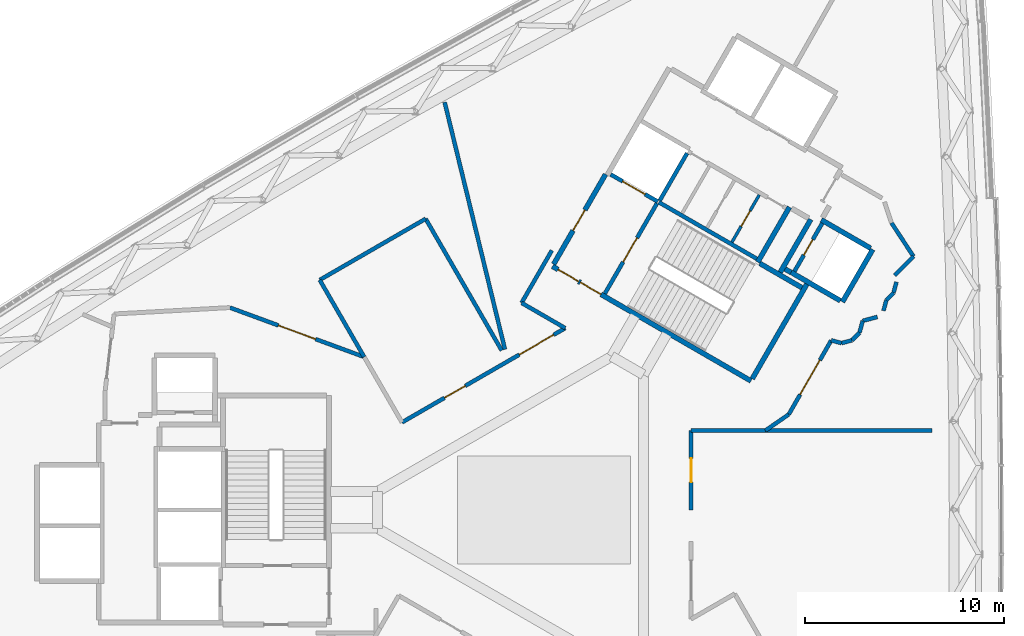
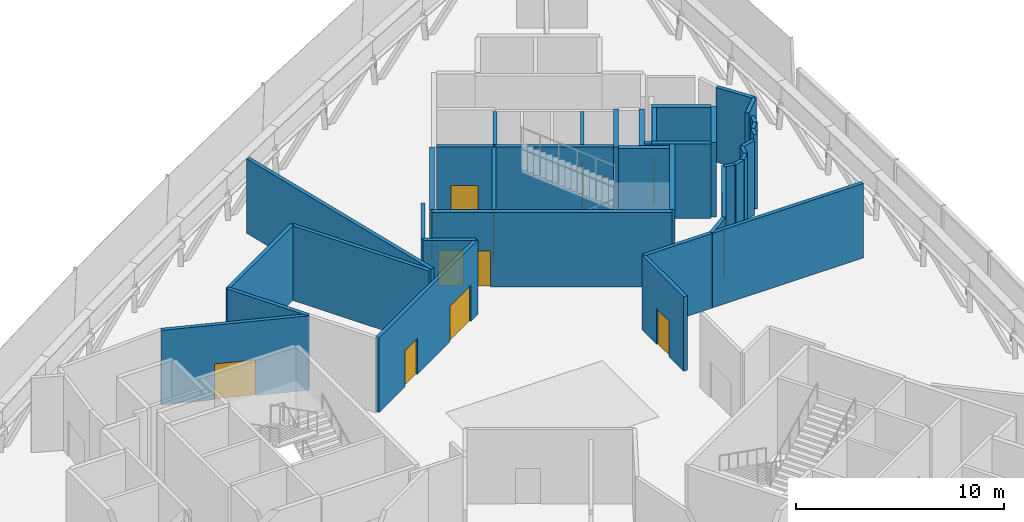
# One storey, part 14 of 19: 39 walls, 12 doors, 12 openings.
"""IFC4 building model written with IfcOpenShell, lengths in metres."""

from ifc_helpers import new_model, si_unit, direction, frame, frame_2d, origin, place, context, subcontext, project, spatial, rectangle, extrude, material, layer, layer_set, type_object, element, fill, save


model = new_model("IFC4")

# Units and contexts
model_context = context("Model", 3, precision=1e-05, world=origin(), true_north=direction((0.0, 1.0)))
body_context = subcontext(model_context, "Body", "Model", "MODEL_VIEW")
ifc_project = project(units=[si_unit("LENGTHUNIT", "METRE"), si_unit("AREAUNIT", "SQUARE_METRE"), si_unit("VOLUMEUNIT", "CUBIC_METRE"), si_unit("PLANEANGLEUNIT", "RADIAN"), si_unit("MASSUNIT", "GRAM", prefix="KILO")], contexts=[model_context])

# Site, building, storey
site_placement = place(None, origin())
site = spatial("IfcSite", under=ifc_project, at=site_placement, CompositionType="ELEMENT")
building_placement = place(site_placement, origin())
building = spatial("IfcBuilding", under=site, at=building_placement, Name="Tamra Quay Hotel Tower", CompositionType="ELEMENT")
storey_placement = place(building_placement, frame((0.0, 0.0, 74.60009765625)))
storey = spatial("IfcBuildingStorey", under=building, at=storey_placement, Name="L17", CompositionType="ELEMENT", Elevation=74.60009765625)

# Wall
ifc_material_1 = material(Name="Concrete M70", Category="concrete")
ifc_layer_1 = layer(ifc_material_1, 0.199951171875)
ifc_layer_set_1 = layer_set([ifc_layer_1], Name="Concrete M70 core wall 200")
wall_type_1 = type_object("IfcWallType", Name="Concrete M70 core wall 200", PredefinedType="SHEAR", material=ifc_layer_set_1)
wall_1_placement = place(storey_placement, frame((5.774658203125, 15.501953125, 0.0), z_axis=(0.0, 0.0, 1.0), x_axis=(0.866020080793, -0.500009219579, 0.0)))
element("IfcWall", 1, at=wall_1_placement, inside=storey, type_object=wall_type_1, Name="CW2", PredefinedType="SHEAR", context=body_context, shape_type="SweptSolid", body=[
    extrude(rectangle(XDim=5.69921875, YDim=0.199951171875, at=frame_2d((2.849609375, 0.0))), origin(), (0.0, 0.0, 1.0), 4.375),
])

# Wall, opening, door
wall_2_placement = place(storey_placement, frame((3.056640625, 10.89453125, 0.0), z_axis=(0.0, 0.0, 1.0), x_axis=(0.499989418164, 0.866031513124, 0.0)))
wall_2 = element("IfcWall", 2, at=wall_2_placement, inside=storey, type_object=wall_type_1, Name="CW2", PredefinedType="SHEAR", context=body_context, shape_type="SweptSolid", body=[
    extrude(rectangle(XDim=5.2509765625, YDim=0.199951171875, at=frame_2d((2.62548828125, 0.0))), origin(), (0.0, 0.0, 1.0), 4.375),
])
opening_1_placement = place(wall_2_placement, frame((1.84912109375, 0.0, 0.0)))
opening_1 = element("IfcOpeningElement", 3, at=opening_1_placement, cuts=wall_2, Name="Opening FD2", PredefinedType="OPENING", context=body_context, shape_type="SweptSolid", body=[
    extrude(rectangle(XDim=1.39990234375, YDim=2.10009765625, at=frame_2d((0.699951171875, 1.050048828125))), frame((0.0, 0.10986328125, 0.0), z_axis=(0.0, -1.0, 0.0), x_axis=(1.0, 0.0, 0.0)), (0.0, 0.0, 1.0), 0.219970703125),
])
ifc_material_2 = material(Name="Core door FD2 1400x2100 LH")
door_type_1 = type_object("IfcDoorType", Name="Core door FD2 1400x2100 LH", OperationType="NOTDEFINED", PredefinedType="DOOR", material=ifc_material_2)
door_1_placement = place(opening_1_placement, origin())
door_1 = element("IfcDoor", 4, at=door_1_placement, inside=storey, type_object=door_type_1, Name="FD2", OperationType="SINGLE_SWING_LEFT", OverallHeight=2.10009765625, OverallWidth=1.39990234375, PredefinedType="DOOR", context=body_context, shape_type="SweptSolid", body=[
    extrude(rectangle(XDim=1.39990234375, YDim=2.10009765625, at=frame_2d((0.699951171875, 1.050048828125))), frame((0.0, 0.02490234375, 0.0), z_axis=(0.0, -1.0, 0.0), x_axis=(1.0, 0.0, 0.0)), (0.0, 0.0, 1.0), 0.050048828125),
])
fill(opening_1, door_1)

wall_3_placement = place(storey_placement, frame((14.0078125, 14.442138671875, 0.0), z_axis=(0.0, 0.0, 1.0), x_axis=(-0.499986818241, -0.866033014143, 0.0)))
wall_3 = element("IfcWall", 5, at=wall_3_placement, inside=storey, type_object=wall_type_1, Name="CW2", PredefinedType="SHEAR", context=body_context, shape_type="SweptSolid", body=[
    extrude(rectangle(XDim=2.7978515625, YDim=0.199951171875, at=frame_2d((1.39892578125, 0.0))), origin(), (0.0, 0.0, 1.0), 4.375),
])
opening_2_placement = place(wall_3_placement, frame((0.948974609375, 0.0, 0.0)))
opening_2 = element("IfcOpeningElement", 6, at=opening_2_placement, cuts=wall_3, Name="Opening D1", PredefinedType="OPENING", context=body_context, shape_type="SweptSolid", body=[
    extrude(rectangle(XDim=0.89990234375, YDim=2.10009765625, at=frame_2d((0.449951171875, 1.050048828125))), frame((0.0, 0.10986328125, 0.0), z_axis=(0.0, -1.0, 0.0), x_axis=(1.0, 0.0, 0.0)), (0.0, 0.0, 1.0), 0.219970703125),
])
ifc_material_3 = material(Name="Core door D1 900x2100 RH")
door_type_2 = type_object("IfcDoorType", Name="Core door D1 900x2100 RH", OperationType="NOTDEFINED", PredefinedType="DOOR", material=ifc_material_3)
door_2_placement = place(opening_2_placement, origin())
door_2 = element("IfcDoor", 7, at=door_2_placement, inside=storey, type_object=door_type_2, Name="D1", OperationType="SINGLE_SWING_RIGHT", OverallHeight=2.10009765625, OverallWidth=0.89990234375, PredefinedType="DOOR", context=body_context, shape_type="SweptSolid", body=[
    extrude(rectangle(XDim=0.89990234375, YDim=2.10009765625, at=frame_2d((0.449951171875, 1.050048828125))), frame((0.0, 0.02490234375, 0.0), z_axis=(0.0, -1.0, 0.0), x_axis=(1.0, 0.0, 0.0)), (0.0, 0.0, 1.0), 0.050048828125),
])
fill(opening_2, door_2)

# Wall
wall_4_placement = place(storey_placement, frame((7.199462890625, 17.969970703125, 0.0), z_axis=(0.0, 0.0, 1.0), x_axis=(-0.499968400327, -0.866043647095, 0.0)))
element("IfcWall", 8, at=wall_4_placement, inside=storey, type_object=wall_type_1, Name="CW2", PredefinedType="SHEAR", context=body_context, shape_type="SweptSolid", body=[
    extrude(rectangle(XDim=2.749755859375, YDim=0.199951171875, at=frame_2d((1.375, 0.0))), origin(), (0.0, 0.0, 1.0), 4.375),
])

# Wall, opening, door
wall_5_placement = place(storey_placement, frame((5.72509765625, 15.530517578125, 0.0), z_axis=(0.0, 0.0, 1.0), x_axis=(-0.866037306777, 0.499979382845, 0.0)))
wall_5 = element("IfcWall", 9, at=wall_5_placement, inside=storey, type_object=wall_type_1, Name="CW2", PredefinedType="SHEAR", context=body_context, shape_type="SweptSolid", body=[
    extrude(rectangle(XDim=2.74169921875, YDim=0.199951171875, at=frame_2d((1.370849609375, 0.0))), origin(), (0.0, 0.0, 1.0), 4.375),
])
opening_3_placement = place(wall_5_placement, frame((0.742919921875, 0.0, 0.0)))
opening_3 = element("IfcOpeningElement", 10, at=opening_3_placement, cuts=wall_5, Name="Opening LD", PredefinedType="OPENING", context=body_context, shape_type="SweptSolid", body=[
    extrude(rectangle(XDim=1.300048828125, YDim=2.10009765625, at=frame_2d((0.64990234375, 1.050048828125))), frame((0.0, 0.10986328125, 0.0), z_axis=(0.0, -1.0, 0.0), x_axis=(1.0, 0.0, 0.0)), (0.0, 0.0, 1.0), 0.219970703125),
])
ifc_material_4 = material(Name="Landing door LD 1300 sliding to left")
door_type_3 = type_object("IfcDoorType", Name="Landing door LD 1300 sliding to left", OperationType="NOTDEFINED", PredefinedType="DOOR", material=ifc_material_4)
door_3_placement = place(opening_3_placement, origin())
door_3 = element("IfcDoor", 11, at=door_3_placement, inside=storey, type_object=door_type_3, Name="LD", OperationType="SLIDING_TO_LEFT", OverallHeight=2.10009765625, OverallWidth=1.300048828125, PredefinedType="DOOR", context=body_context, shape_type="SweptSolid", body=[
    extrude(rectangle(XDim=1.300048828125, YDim=2.10009765625, at=frame_2d((0.64990234375, 1.050048828125))), frame((0.0, 0.02490234375, 0.0), z_axis=(0.0, -1.0, 0.0), x_axis=(1.0, 0.0, 0.0)), (0.0, 0.0, 1.0), 0.050048828125),
])
fill(opening_3, door_3)

# Wall, openings, doors
ifc_layer_2 = layer(ifc_material_1, 0.25)
ifc_layer_set_2 = layer_set([ifc_layer_2], Name="Concrete M70 core wall 250")
wall_type_2 = type_object("IfcWallType", Name="Concrete M70 core wall 250", PredefinedType="SHEAR", material=ifc_layer_set_2)
wall_6_placement = place(storey_placement, frame((10.419921875, 6.497802734375, 0.0), z_axis=(0.0, 0.0, 1.0), x_axis=(-0.866021906294, 0.500006057782, 0.0)))
wall_6 = element("IfcWall", 12, at=wall_6_placement, inside=storey, type_object=wall_type_2, Name="CW1", PredefinedType="SHEAR", context=body_context, shape_type="SweptSolid", body=[
    extrude(rectangle(XDim=11.550048828125, YDim=0.25, at=frame_2d((5.77490234375, 0.0))), origin(), (0.0, 0.0, 1.0), 4.375),
])
opening_4_placement = place(wall_6_placement, frame((10.02490234375, 0.0, 0.0)))
opening_4 = element("IfcOpeningElement", 13, at=opening_4_placement, cuts=wall_6, Name="Opening FD1", PredefinedType="OPENING", context=body_context, shape_type="SweptSolid", body=[
    extrude(rectangle(XDim=1.199951171875, YDim=2.10009765625, at=frame_2d((0.60009765625, 1.050048828125))), frame((0.0, 0.135009765625, 0.0), z_axis=(0.0, -1.0, 0.0), x_axis=(1.0, 0.0, 0.0)), (0.0, 0.0, 1.0), 0.27001953125),
])
opening_5_placement = place(wall_6_placement, frame((8.724853515625, 0.0, 0.0)))
opening_5 = element("IfcOpeningElement", 14, at=opening_5_placement, cuts=wall_6, Name="Opening FD1", PredefinedType="OPENING", context=body_context, shape_type="SweptSolid", body=[
    extrude(rectangle(XDim=1.199951171875, YDim=2.10009765625, at=frame_2d((0.60009765625, 1.050048828125))), frame((0.0, 0.135009765625, 0.0), z_axis=(0.0, -1.0, 0.0), x_axis=(1.0, 0.0, 0.0)), (0.0, 0.0, 1.0), 0.27001953125),
])
ifc_material_5 = material(Name="Core door FD1 1200x2100 LH")
door_type_4 = type_object("IfcDoorType", Name="Core door FD1 1200x2100 LH", OperationType="NOTDEFINED", PredefinedType="DOOR", material=ifc_material_5)
door_4_placement = place(opening_4_placement, origin())
door_4 = element("IfcDoor", 15, at=door_4_placement, inside=storey, type_object=door_type_4, Name="FD1", OperationType="SINGLE_SWING_LEFT", OverallHeight=2.10009765625, OverallWidth=1.199951171875, PredefinedType="DOOR", context=body_context, shape_type="SweptSolid", body=[
    extrude(rectangle(XDim=1.199951171875, YDim=2.10009765625, at=frame_2d((0.60009765625, 1.050048828125))), frame((0.0, 0.02490234375, 0.0), z_axis=(0.0, -1.0, 0.0), x_axis=(1.0, 0.0, 0.0)), (0.0, 0.0, 1.0), 0.050048828125),
])
fill(opening_4, door_4)
ifc_material_6 = material(Name="Core door FD1 1200x2100 RH")
door_type_5 = type_object("IfcDoorType", Name="Core door FD1 1200x2100 RH", OperationType="NOTDEFINED", PredefinedType="DOOR", material=ifc_material_6)
door_5_placement = place(opening_5_placement, origin())
door_5 = element("IfcDoor", 16, at=door_5_placement, inside=storey, type_object=door_type_5, Name="FD1", OperationType="SINGLE_SWING_RIGHT", OverallHeight=2.10009765625, OverallWidth=1.199951171875, PredefinedType="DOOR", context=body_context, shape_type="SweptSolid", body=[
    extrude(rectangle(XDim=1.199951171875, YDim=2.10009765625, at=frame_2d((0.60009765625, 1.050048828125))), frame((0.0, 0.02490234375, 0.0), z_axis=(0.0, -1.0, 0.0), x_axis=(1.0, 0.0, 0.0)), (0.0, 0.0, 1.0), 0.050048828125),
])
fill(opening_5, door_5)

# Wall, opening, door
wall_7_placement = place(storey_placement, frame((0.47998046875, 12.38134765625, 0.0), z_axis=(0.0, 0.0, 1.0), x_axis=(0.49999885962, 0.866026062182, 0.0)))
wall_7 = element("IfcWall", 17, at=wall_7_placement, inside=storey, type_object=wall_type_2, Name="CW1", PredefinedType="SHEAR", context=body_context, shape_type="SweptSolid", body=[
    extrude(rectangle(XDim=5.224609375, YDim=0.25, at=frame_2d((2.6123046875, 0.0))), origin(), (0.0, 0.0, 1.0), 4.375),
])
opening_6_placement = place(wall_7_placement, frame((1.94970703125, 0.0, 0.0)))
opening_6 = element("IfcOpeningElement", 18, at=opening_6_placement, cuts=wall_7, Name="Opening D2", PredefinedType="OPENING", context=body_context, shape_type="SweptSolid", body=[
    extrude(rectangle(XDim=1.199951171875, YDim=2.10009765625, at=frame_2d((0.60009765625, 1.050048828125))), frame((0.0, 0.135009765625, 0.0), z_axis=(0.0, -1.0, 0.0), x_axis=(1.0, 0.0, 0.0)), (0.0, 0.0, 1.0), 0.27001953125),
])
ifc_material_7 = material(Name="Core door D2 1200x2100 RH")
door_type_6 = type_object("IfcDoorType", Name="Core door D2 1200x2100 RH", OperationType="NOTDEFINED", PredefinedType="DOOR", material=ifc_material_7)
door_6_placement = place(opening_6_placement, origin())
door_6 = element("IfcDoor", 19, at=door_6_placement, inside=storey, type_object=door_type_6, Name="D2", OperationType="SINGLE_SWING_RIGHT", OverallHeight=2.10009765625, OverallWidth=1.199951171875, PredefinedType="DOOR", context=body_context, shape_type="SweptSolid", body=[
    extrude(rectangle(XDim=1.199951171875, YDim=2.10009765625, at=frame_2d((0.60009765625, 1.050048828125))), frame((0.0, 0.02490234375, 0.0), z_axis=(0.0, -1.0, 0.0), x_axis=(1.0, 0.0, 0.0)), (0.0, 0.0, 1.0), 0.050048828125),
])
fill(opening_6, door_6)

# Walls
wall_8_placement = place(storey_placement, frame((13.237548828125, 11.3779296875, 0.0), z_axis=(0.0, 0.0, 1.0), x_axis=(-0.500008851346, -0.866020293397, 0.0)))
element("IfcWall", 20, at=wall_8_placement, inside=storey, type_object=wall_type_2, Name="CW1", PredefinedType="SHEAR", context=body_context, shape_type="SweptSolid", body=[
    extrude(rectangle(XDim=5.509765625, YDim=0.25, at=frame_2d((2.7548828125, 0.0))), origin(), (0.0, 0.0, 1.0), 4.375),
])
wall_9_placement = place(storey_placement, frame((12.356689453125, 15.25244140625, 0.0), z_axis=(0.0, 0.0, 1.0), x_axis=(-0.500028443584, -0.866008981251, 0.0)))
element("IfcWall", 21, at=wall_9_placement, inside=storey, type_object=wall_type_2, Name="CW1", PredefinedType="SHEAR", context=body_context, shape_type="SweptSolid", body=[
    extrude(rectangle(XDim=3.199951171875, YDim=0.25, at=frame_2d((1.60009765625, 0.0))), origin(), (0.0, 0.0, 1.0), 4.375),
])
wall_10_placement = place(storey_placement, frame((16.552001953125, 13.118896484375, 0.0), z_axis=(0.0, 0.0, 1.0), x_axis=(-0.499978833458, -0.866037623948, 0.0)))
element("IfcWall", 22, at=wall_10_placement, inside=storey, type_object=wall_type_2, Name="CW1", PredefinedType="SHEAR", context=body_context, shape_type="SweptSolid", body=[
    extrude(rectangle(XDim=3.050048828125, YDim=0.25, at=frame_2d((1.52490234375, 0.0))), origin(), (0.0, 0.0, 1.0), 4.375),
])
wall_11_placement = place(storey_placement, frame((14.91845703125, 10.540283203125, 0.0), z_axis=(0.0, 0.0, 1.0), x_axis=(-0.866063538972, 0.499933942099, 0.0)))
element("IfcWall", 23, at=wall_11_placement, inside=storey, type_object=wall_type_2, Name="CW1", PredefinedType="SHEAR", context=body_context, shape_type="SweptSolid", body=[
    extrude(rectangle(XDim=2.86474609375, YDim=0.25, at=frame_2d((1.432373046875, 0.0))), origin(), (0.0, 0.0, 1.0), 4.375),
])
wall_12_placement = place(storey_placement, frame((13.962646484375, 14.61376953125, 0.0), z_axis=(0.0, 0.0, 1.0), x_axis=(0.866042235819, -0.499970844928, 0.0)))
element("IfcWall", 24, at=wall_12_placement, inside=storey, type_object=wall_type_2, Name="CW1", PredefinedType="SHEAR", context=body_context, shape_type="SweptSolid", body=[
    extrude(rectangle(XDim=2.864501953125, YDim=0.25, at=frame_2d((1.43212890625, 0.0))), origin(), (0.0, 0.0, 1.0), 4.375),
])
wall_13_placement = place(storey_placement, frame((11.887939453125, 11.960693359375, 0.0), z_axis=(0.0, 0.0, 1.0), x_axis=(0.500003324108, 0.866023484601, 0.0)))
element("IfcWall", 25, at=wall_13_placement, inside=storey, type_object=wall_type_2, Name="CW1", PredefinedType="SHEAR", context=body_context, shape_type="SweptSolid", body=[
    extrude(rectangle(XDim=3.0849609375, YDim=0.25, at=frame_2d((1.54248046875, 0.0))), origin(), (0.0, 0.0, 1.0), 4.375),
])
wall_14_placement = place(storey_placement, frame((10.865234375, 12.41845703125, 0.0), z_axis=(0.0, 0.0, 1.0), x_axis=(0.866026229868, -0.499998569178, 0.0)))
element("IfcWall", 26, at=wall_14_placement, inside=storey, type_object=wall_type_2, Name="CW1", PredefinedType="SHEAR", context=body_context, shape_type="SweptSolid", body=[
    extrude(rectangle(XDim=2.44921875, YDim=0.25, at=frame_2d((1.224609375, 0.0))), origin(), (0.0, 0.0, 1.0), 4.375),
])
wall_15_placement = place(storey_placement, frame((12.4326171875, 11.9638671875, 0.0), z_axis=(0.0, 0.0, 1.0), x_axis=(-0.866055875208, 0.499947218231, 0.0)))
element("IfcWall", 27, at=wall_15_placement, inside=storey, type_object=wall_type_2, Name="CW1", PredefinedType="SHEAR", context=body_context, shape_type="SweptSolid", body=[
    extrude(rectangle(XDim=0.3447265625, YDim=0.25, at=frame_2d((0.17236328125, 0.0))), origin(), (0.0, 0.0, 1.0), 4.375),
])

# Wall, opening, door
ifc_material_8 = material(Name="Blockwork", Category="masonry")
ifc_layer_3 = layer(ifc_material_8, 0.14990234375)
ifc_layer_set_3 = layer_set([ifc_layer_3], Name="Core partition block 150")
wall_type_3 = type_object("IfcWallType", Name="Core partition block 150", PredefinedType="PARTITIONING", material=ifc_layer_set_3)
wall_16_placement = place(storey_placement, frame((9.462158203125, 13.4892578125, 0.0), z_axis=(0.0, 0.0, 1.0), x_axis=(0.50002746344, 0.86600954718, 0.0)))
wall_16 = element("IfcWall", 28, at=wall_16_placement, inside=storey, type_object=wall_type_3, Name="CP1", PredefinedType="PARTITIONING", context=body_context, shape_type="SweptSolid", body=[
    extrude(rectangle(XDim=2.748291015625, YDim=0.14990234375, at=frame_2d((1.3740234375, 0.0))), origin(), (0.0, 0.0, 1.0), 4.375),
])
opening_7_placement = place(wall_16_placement, frame((0.92431640625, 0.0, 0.0)))
opening_7 = element("IfcOpeningElement", 29, at=opening_7_placement, cuts=wall_16, Name="Opening D2", PredefinedType="OPENING", context=body_context, shape_type="SweptSolid", body=[
    extrude(rectangle(XDim=0.89990234375, YDim=2.10009765625, at=frame_2d((0.449951171875, 1.050048828125))), frame((0.0, 0.0849609375, 0.0), z_axis=(0.0, -1.0, 0.0), x_axis=(1.0, 0.0, 0.0)), (0.0, 0.0, 1.0), 0.169921875),
])
ifc_material_9 = material(Name="Core door D2 900x2100 LH")
door_type_7 = type_object("IfcDoorType", Name="Core door D2 900x2100 LH", OperationType="NOTDEFINED", PredefinedType="DOOR", material=ifc_material_9)
door_7_placement = place(opening_7_placement, origin())
door_7 = element("IfcDoor", 30, at=door_7_placement, inside=storey, type_object=door_type_7, Name="D2", OperationType="SINGLE_SWING_LEFT", OverallHeight=2.10009765625, OverallWidth=0.89990234375, PredefinedType="DOOR", context=body_context, shape_type="SweptSolid", body=[
    extrude(rectangle(XDim=0.89990234375, YDim=2.10009765625, at=frame_2d((0.449951171875, 1.050048828125))), frame((0.0, 0.02490234375, 0.0), z_axis=(0.0, -1.0, 0.0), x_axis=(1.0, 0.0, 0.0)), (0.0, 0.0, 1.0), 0.050048828125),
])
fill(opening_7, door_7)

ifc_material_10 = material(Name="Partition corridor wall")
ifc_layer_4 = layer(ifc_material_10, 0.199951171875)
ifc_layer_set_4 = layer_set([ifc_layer_4], Name="Partition corridor wall")
wall_type_4 = type_object("IfcWallType", Name="Partition corridor wall", PredefinedType="PARTITIONING", material=ifc_layer_set_4)
wall_17_placement = place(storey_placement, frame((-15.8330078125, 10.193115234375, 0.0), z_axis=(0.0, 0.0, 1.0), x_axis=(0.938576941318, -0.345070029453, 0.0)))
wall_17 = element("IfcWall", 31, at=wall_17_placement, inside=storey, type_object=wall_type_4, Name="W-C", PredefinedType="PARTITIONING", context=body_context, shape_type="SweptSolid", body=[
    extrude(rectangle(XDim=7.213134765625, YDim=0.199951171875, at=frame_2d((3.6064453125, 0.0))), origin(), (0.0, 0.0, 1.0), 4.375),
])
opening_8_placement = place(wall_17_placement, frame((2.602783203125, 0.0, 0.0)))
opening_8 = element("IfcOpeningElement", 32, at=opening_8_placement, cuts=wall_17, Name="Opening L17-D005", PredefinedType="OPENING", context=body_context, shape_type="SweptSolid", body=[
    extrude(rectangle(XDim=2.0, YDim=2.10009765625, at=frame_2d((1.0, 1.050048828125))), frame((0.0, 0.10986328125, 0.0), z_axis=(0.0, -1.0, 0.0), x_axis=(1.0, 0.0, 0.0)), (0.0, 0.0, 1.0), 0.219970703125),
])
ifc_material_11 = material(Name="Door double leaf 2000x2100")
door_type_8 = type_object("IfcDoorType", Name="Door double leaf 2000x2100", OperationType="DOUBLE_DOOR_SINGLE_SWING", PredefinedType="DOOR", material=ifc_material_11)
door_8_placement = place(opening_8_placement, origin())
door_8 = element("IfcDoor", 33, at=door_8_placement, inside=storey, type_object=door_type_8, Name="L17-D005", OperationType="DOUBLE_DOOR_SINGLE_SWING", OverallHeight=2.10009765625, OverallWidth=2.0, PredefinedType="DOOR", context=body_context, shape_type="SweptSolid", body=[
    extrude(rectangle(XDim=2.0, YDim=2.10009765625, at=frame_2d((1.0, 1.050048828125))), frame((0.0, 0.02490234375, 0.0), z_axis=(0.0, -1.0, 0.0), x_axis=(1.0, 0.0, 0.0)), (0.0, 0.0, 1.0), 0.050048828125),
])
fill(opening_8, door_8)

# Wall, openings, doors
wall_18_placement = place(storey_placement, frame((-7.16162109375, 4.410888671875, 0.0), z_axis=(0.0, 0.0, 1.0), x_axis=(0.866063994697, 0.499933152621, 0.0)))
wall_18 = element("IfcWall", 34, at=wall_18_placement, inside=storey, type_object=wall_type_4, Name="W-C", PredefinedType="PARTITIONING", context=body_context, shape_type="SweptSolid", body=[
    extrude(rectangle(XDim=9.495361328125, YDim=0.199951171875, at=frame_2d((4.74755859375, 0.0))), origin(), (0.0, 0.0, 1.0), 4.375),
])
opening_9_placement = place(wall_18_placement, frame((6.824462890625, 0.0, 0.0)))
opening_9 = element("IfcOpeningElement", 35, at=opening_9_placement, cuts=wall_18, Name="Opening L17-D001", PredefinedType="OPENING", context=body_context, shape_type="SweptSolid", body=[
    extrude(rectangle(XDim=2.0, YDim=2.10009765625, at=frame_2d((1.0, 1.050048828125))), frame((0.0, 0.10986328125, 0.0), z_axis=(0.0, -1.0, 0.0), x_axis=(1.0, 0.0, 0.0)), (0.0, 0.0, 1.0), 0.219970703125),
])
opening_10_placement = place(wall_18_placement, frame((2.4794921875, 0.0, 0.0)))
opening_10 = element("IfcOpeningElement", 36, at=opening_10_placement, cuts=wall_18, Name="Opening L17-D007", PredefinedType="OPENING", context=body_context, shape_type="SweptSolid", body=[
    extrude(rectangle(XDim=1.199951171875, YDim=2.10009765625, at=frame_2d((0.60009765625, 1.050048828125))), frame((0.0, 0.10986328125, 0.0), z_axis=(0.0, -1.0, 0.0), x_axis=(1.0, 0.0, 0.0)), (0.0, 0.0, 1.0), 0.219970703125),
])
door_9_placement = place(opening_9_placement, origin())
door_9 = element("IfcDoor", 37, at=door_9_placement, inside=storey, type_object=door_type_8, Name="L17-D001", OperationType="DOUBLE_DOOR_SINGLE_SWING", OverallHeight=2.10009765625, OverallWidth=2.0, PredefinedType="DOOR", context=body_context, shape_type="SweptSolid", body=[
    extrude(rectangle(XDim=2.0, YDim=2.10009765625, at=frame_2d((1.0, 1.050048828125))), frame((0.0, 0.02490234375, 0.0), z_axis=(0.0, -1.0, 0.0), x_axis=(1.0, 0.0, 0.0)), (0.0, 0.0, 1.0), 0.050048828125),
])
fill(opening_9, door_9)
ifc_material_12 = material(Name="Door fire rated 1200x2100")
door_type_9 = type_object("IfcDoorType", Name="Door fire rated 1200x2100", OperationType="NOTDEFINED", PredefinedType="DOOR", material=ifc_material_12)
door_10_placement = place(opening_10_placement, origin())
door_10 = element("IfcDoor", 38, at=door_10_placement, inside=storey, type_object=door_type_9, Name="L17-D007", OperationType="SINGLE_SWING_LEFT", OverallHeight=2.10009765625, OverallWidth=1.199951171875, PredefinedType="DOOR", context=body_context, shape_type="SweptSolid", body=[
    extrude(rectangle(XDim=1.199951171875, YDim=2.10009765625, at=frame_2d((0.60009765625, 1.050048828125))), frame((0.0, 0.02490234375, 0.0), z_axis=(0.0, -1.0, 0.0), x_axis=(1.0, 0.0, 0.0)), (0.0, 0.0, 1.0), 0.050048828125),
])
fill(opening_10, door_10)

# Walls
wall_19_placement = place(storey_placement, frame((-1.137939453125, 10.428955078125, 0.0), z_axis=(0.0, 0.0, 1.0), x_axis=(0.865879872582, -0.500251982761, 0.0)))
element("IfcWall", 39, at=wall_19_placement, inside=storey, type_object=wall_type_4, Name="W-C", PredefinedType="PARTITIONING", context=body_context, shape_type="SweptSolid", body=[
    extrude(rectangle(XDim=2.540771484375, YDim=0.199951171875, at=frame_2d((1.2705078125, 0.0))), origin(), (0.0, 0.0, 1.0), 4.375),
])
wall_20_placement = place(storey_placement, frame((-1.137939453125, 10.428955078125, 0.0), z_axis=(0.0, 0.0, 1.0), x_axis=(0.500013496215, 0.866017611601, 0.0)))
element("IfcWall", 40, at=wall_20_placement, inside=storey, type_object=wall_type_4, Name="W-C", PredefinedType="PARTITIONING", context=body_context, shape_type="SweptSolid", body=[
    extrude(rectangle(XDim=3.0498046875, YDim=0.199951171875, at=frame_2d((1.52490234375, 0.0))), origin(), (0.0, 0.0, 1.0), 4.375),
])

# Wall, opening, door
wall_21_placement = place(storey_placement, frame((7.39990234375, -0.011962890625, 0.0), z_axis=(0.0, 0.0, 1.0), x_axis=(0.0, 1.0, 0.0)))
wall_21 = element("IfcWall", 41, at=wall_21_placement, inside=storey, type_object=wall_type_4, Name="W-C", PredefinedType="PARTITIONING", context=body_context, shape_type="SweptSolid", body=[
    extrude(rectangle(XDim=4.009033203125, YDim=0.199951171875, at=frame_2d((2.00439453125, 0.0))), origin(), (0.0, 0.0, 1.0), 4.375),
])
opening_11_placement = place(wall_21_placement, frame((1.409912109375, 0.0, 0.0)))
opening_11 = element("IfcOpeningElement", 42, at=opening_11_placement, cuts=wall_21, Name="Opening L17-D008", PredefinedType="OPENING", context=body_context, shape_type="SweptSolid", body=[
    extrude(rectangle(XDim=1.199951171875, YDim=2.10009765625, at=frame_2d((0.60009765625, 1.050048828125))), frame((0.0, 0.10986328125, 0.0), z_axis=(0.0, -1.0, 0.0), x_axis=(1.0, 0.0, 0.0)), (0.0, 0.0, 1.0), 0.219970703125),
])
door_11_placement = place(opening_11_placement, frame((1.199951171875, 0.0, 0.0), z_axis=(0.0, 0.0, 1.0), x_axis=(-1.0, 0.0, 0.0)))
door_11 = element("IfcDoor", 43, at=door_11_placement, inside=storey, type_object=door_type_9, Name="L17-D008", OperationType="SINGLE_SWING_LEFT", OverallHeight=2.10009765625, OverallWidth=1.199951171875, PredefinedType="DOOR", context=body_context, shape_type="SweptSolid", body=[
    extrude(rectangle(XDim=1.199951171875, YDim=2.10009765625, at=frame_2d((0.60009765625, 1.050048828125))), frame((0.0, 0.02490234375, 0.0), z_axis=(0.0, -1.0, 0.0), x_axis=(1.0, 0.0, 0.0)), (0.0, 0.0, 1.0), 0.050048828125),
])
fill(opening_11, door_11)

# Walls
wall_22_placement = place(storey_placement, frame((7.39990234375, 3.9970703125, 0.0), z_axis=(0.0, 0.0, 1.0), x_axis=(1.0, 0.0, 0.0)))
element("IfcWall", 44, at=wall_22_placement, inside=storey, type_object=wall_type_4, Name="W-C", PredefinedType="PARTITIONING", context=body_context, shape_type="SweptSolid", body=[
    extrude(rectangle(XDim=3.7431640625, YDim=0.199951171875, at=frame_2d((1.87158203125, 0.0))), origin(), (0.0, 0.0, 1.0), 4.375),
])
wall_23_placement = place(storey_placement, frame((11.14306640625, 3.9970703125, 0.0), z_axis=(0.0, 0.0, 1.0), x_axis=(0.822504527588, 0.568758562218, 0.0)))
element("IfcWall", 45, at=wall_23_placement, inside=storey, type_object=wall_type_4, Name="W-C", PredefinedType="PARTITIONING", context=body_context, shape_type="SweptSolid", body=[
    extrude(rectangle(XDim=1.4345703125, YDim=0.199951171875, at=frame_2d((0.71728515625, 0.0))), origin(), (0.0, 0.0, 1.0), 4.375),
])

# Wall, opening, door
wall_24_placement = place(storey_placement, frame((12.322998046875, 4.81298828125, 0.0), z_axis=(0.0, 0.0, 1.0), x_axis=(0.497551081434, 0.867434678442, 0.0)))
wall_24 = element("IfcWall", 46, at=wall_24_placement, inside=storey, type_object=wall_type_4, Name="W-C", PredefinedType="PARTITIONING", context=body_context, shape_type="SweptSolid", body=[
    extrude(rectangle(XDim=4.298828125, YDim=0.199951171875, at=frame_2d((2.1494140625, 0.0))), origin(), (0.0, 0.0, 1.0), 4.375),
])
opening_12_placement = place(wall_24_placement, frame((1.1484375, 0.0, 0.0)))
opening_12 = element("IfcOpeningElement", 47, at=opening_12_placement, cuts=wall_24, Name="Opening L17-D006", PredefinedType="OPENING", context=body_context, shape_type="SweptSolid", body=[
    extrude(rectangle(XDim=2.0, YDim=2.10009765625, at=frame_2d((1.0, 1.050048828125))), frame((0.0, 0.10986328125, 0.0), z_axis=(0.0, -1.0, 0.0), x_axis=(1.0, 0.0, 0.0)), (0.0, 0.0, 1.0), 0.219970703125),
])
door_12_placement = place(opening_12_placement, origin())
door_12 = element("IfcDoor", 48, at=door_12_placement, inside=storey, type_object=door_type_8, Name="L17-D006", OperationType="DOUBLE_DOOR_SINGLE_SWING", OverallHeight=2.10009765625, OverallWidth=2.0, PredefinedType="DOOR", context=body_context, shape_type="SweptSolid", body=[
    extrude(rectangle(XDim=2.0, YDim=2.10009765625, at=frame_2d((1.0, 1.050048828125))), frame((0.0, 0.02490234375, 0.0), z_axis=(0.0, -1.0, 0.0), x_axis=(1.0, 0.0, 0.0)), (0.0, 0.0, 1.0), 0.050048828125),
])
fill(opening_12, door_12)

# Walls
wall_25_placement = place(storey_placement, frame((14.4619140625, 8.5419921875, 0.0), z_axis=(0.0, 0.0, 1.0), x_axis=(0.966000755685, -0.258539242702, 0.0)))
element("IfcWall", 49, at=wall_25_placement, inside=storey, type_object=wall_type_4, Name="W-C", PredefinedType="PARTITIONING", context=body_context, shape_type="SweptSolid", body=[
    extrude(rectangle(XDim=0.537353515625, YDim=0.199951171875, at=frame_2d((0.2685546875, 0.0))), origin(), (0.0, 0.0, 1.0), 4.375),
])
for number, where, z_axis, x_axis, name in (
    (50, (14.98095703125, 8.403076171875, 0.0), (0.0, 0.0, 1.0), (0.965911748822, 0.25887157721, 0.0), "W-C"),
    (51, (15.5029296875, 8.54296875, 0.0), (0.0, 0.0, 1.0), (0.707106781187, 0.707106781187, 0.0), "W-C"),
):
    element("IfcWall", number, at=place(storey_placement, frame(where, z_axis=z_axis, x_axis=x_axis)), inside=storey, type_object=wall_type_4, Name=name, PredefinedType="PARTITIONING", context=body_context, shape_type="SweptSolid", body=[
        extrude(rectangle(XDim=0.540283203125, YDim=0.199951171875, at=frame_2d((0.27001953125, 0.0))), origin(), (0.0, 0.0, 1.0), 4.375),
    ])
wall_26_placement = place(storey_placement, frame((15.885009765625, 8.925048828125, 0.0), z_axis=(0.0, 0.0, 1.0), x_axis=(0.259451030732, 0.96575626462, 0.0)))
element("IfcWall", 52, at=wall_26_placement, inside=storey, type_object=wall_type_4, Name="W-C", PredefinedType="PARTITIONING", context=body_context, shape_type="SweptSolid", body=[
    extrude(rectangle(XDim=0.6201171875, YDim=0.199951171875, at=frame_2d((0.31005859375, 0.0))), origin(), (0.0, 0.0, 1.0), 4.375),
])
wall_27_placement = place(storey_placement, frame((16.0458984375, 9.52392578125, 0.0), z_axis=(0.0, 0.0, 1.0), x_axis=(0.965760773793, 0.259434245626, 0.0)))
element("IfcWall", 53, at=wall_27_placement, inside=storey, type_object=wall_type_4, Name="W-C", PredefinedType="PARTITIONING", context=body_context, shape_type="SweptSolid", body=[
    extrude(rectangle(XDim=0.76318359375, YDim=0.199951171875, at=frame_2d((0.381591796875, 0.0))), origin(), (0.0, 0.0, 1.0), 4.375),
])
wall_28_placement = place(storey_placement, frame((17.095947265625, 10.033935546875, 0.0), z_axis=(0.0, 0.0, 1.0), x_axis=(0.257717024656, 0.966220438204, 0.0)))
element("IfcWall", 54, at=wall_28_placement, inside=storey, type_object=wall_type_4, Name="W-C", PredefinedType="PARTITIONING", context=body_context, shape_type="SweptSolid", body=[
    extrude(rectangle(XDim=0.558837890625, YDim=0.199951171875, at=frame_2d((0.279296875, 0.0))), origin(), (0.0, 0.0, 1.0), 4.375),
])
wall_29_placement = place(storey_placement, frame((17.239990234375, 10.573974609375, 0.0), z_axis=(0.0, 0.0, 1.0), x_axis=(0.707106781187, 0.707106781187, 0.0)))
element("IfcWall", 55, at=wall_29_placement, inside=storey, type_object=wall_type_4, Name="W-C", PredefinedType="PARTITIONING", context=body_context, shape_type="SweptSolid", body=[
    extrude(rectangle(XDim=0.5078125, YDim=0.199951171875, at=frame_2d((0.25390625, 0.0))), origin(), (0.0, 0.0, 1.0), 4.375),
])
wall_30_placement = place(storey_placement, frame((17.49609375, 14.4609375, 0.0), z_axis=(0.0, 0.0, 1.0), x_axis=(0.548316906348, -0.83627063216, 0.0)))
element("IfcWall", 56, at=wall_30_placement, inside=storey, type_object=wall_type_4, Name="W-C", PredefinedType="PARTITIONING", context=body_context, shape_type="SweptSolid", body=[
    extrude(rectangle(XDim=2.0263671875, YDim=0.199951171875, at=frame_2d((1.01318359375, 0.0))), origin(), (0.0, 0.0, 1.0), 4.375),
])
wall_31_placement = place(storey_placement, frame((17.59912109375, 10.93310546875, 0.0), z_axis=(0.0, 0.0, 1.0), x_axis=(0.258678808613, 0.965963391633, 0.0)))
element("IfcWall", 57, at=wall_31_placement, inside=storey, type_object=wall_type_4, Name="W-C", PredefinedType="PARTITIONING", context=body_context, shape_type="SweptSolid", body=[
    extrude(rectangle(XDim=0.568115234375, YDim=0.199951171875, at=frame_2d((0.2841796875, 0.0))), origin(), (0.0, 0.0, 1.0), 4.375),
])
wall_32_placement = place(storey_placement, frame((17.656982421875, 11.81591796875, 0.0), z_axis=(0.0, 0.0, 1.0), x_axis=(0.707015945966, 0.70719760474, 0.0)))
element("IfcWall", 58, at=wall_32_placement, inside=storey, type_object=wall_type_4, Name="W-C", PredefinedType="PARTITIONING", context=body_context, shape_type="SweptSolid", body=[
    extrude(rectangle(XDim=1.343994140625, YDim=0.199951171875, at=frame_2d((0.671875, 0.0))), origin(), (0.0, 0.0, 1.0), 4.375),
])
ifc_material_13 = material(Name="Partition party wall")
ifc_layer_5 = layer(ifc_material_13, 0.199951171875)
ifc_layer_set_5 = layer_set([ifc_layer_5], Name="Partition party wall")
wall_type_5 = type_object("IfcWallType", Name="Partition party wall", PredefinedType="PARTITIONING", material=ifc_layer_set_5)
wall_33_placement = place(storey_placement, frame((-11.304931640625, 11.5849609375, 0.0), z_axis=(0.0, 0.0, 1.0), x_axis=(0.499835798323, -0.866120184914, 0.0)))
element("IfcWall", 59, at=wall_33_placement, inside=storey, type_object=wall_type_5, Name="W-P", PredefinedType="PARTITIONING", context=body_context, shape_type="SweptSolid", body=[
    extrude(rectangle(XDim=4.47509765625, YDim=0.199951171875, at=frame_2d((2.237548828125, 0.0))), origin(), (0.0, 0.0, 1.0), 4.375),
])
wall_34_placement = place(storey_placement, frame((-11.304931640625, 11.5849609375, 0.0), z_axis=(0.0, 0.0, 1.0), x_axis=(0.86600082466, 0.500042569876, 0.0)))
element("IfcWall", 60, at=wall_34_placement, inside=storey, type_object=wall_type_5, Name="W-P", PredefinedType="PARTITIONING", context=body_context, shape_type="SweptSolid", body=[
    extrude(rectangle(XDim=6.16162109375, YDim=0.199951171875, at=frame_2d((3.080810546875, 0.0))), origin(), (0.0, 0.0, 1.0), 4.375),
])
wall_35_placement = place(storey_placement, frame((-5.968994140625, 14.666015625, 0.0), z_axis=(0.0, 0.0, 1.0), x_axis=(0.500157550405, -0.865934422906, 0.0)))
element("IfcWall", 61, at=wall_35_placement, inside=storey, type_object=wall_type_5, Name="W-P", PredefinedType="PARTITIONING", context=body_context, shape_type="SweptSolid", body=[
    extrude(rectangle(XDim=7.65771484375, YDim=0.199951171875, at=frame_2d((3.828857421875, 0.0))), origin(), (0.0, 0.0, 1.0), 4.375),
])
wall_36_placement = place(storey_placement, frame((-5.013427734375, 20.541015625, 0.0), z_axis=(0.0, 0.0, 1.0), x_axis=(0.237028524713, -0.971502690924, 0.0)))
element("IfcWall", 62, at=wall_36_placement, inside=storey, type_object=wall_type_5, Name="W-P", PredefinedType="PARTITIONING", context=body_context, shape_type="SweptSolid", body=[
    extrude(rectangle(XDim=12.818359375, YDim=0.199951171875, at=frame_2d((6.4091796875, 0.0))), origin(), (0.0, 0.0, 1.0), 4.375),
])
wall_37_placement = place(storey_placement, frame((11.15087890625, 3.9990234375, 0.0), z_axis=(0.0, 0.0, 1.0), x_axis=(0.999999972891, -0.000232849195, 0.0)))
element("IfcWall", 63, at=wall_37_placement, inside=storey, type_object=wall_type_5, Name="W-P", PredefinedType="PARTITIONING", context=body_context, shape_type="SweptSolid", body=[
    extrude(rectangle(XDim=8.387939453125, YDim=0.199951171875, at=frame_2d((4.19384765625, 0.0))), origin(), (0.0, 0.0, 1.0), 4.375),
])

save(model, "model.ifc")
